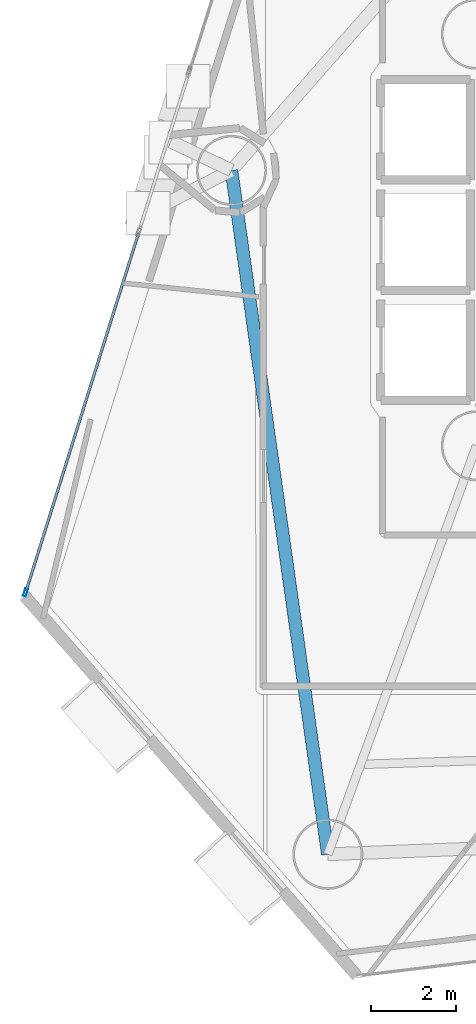
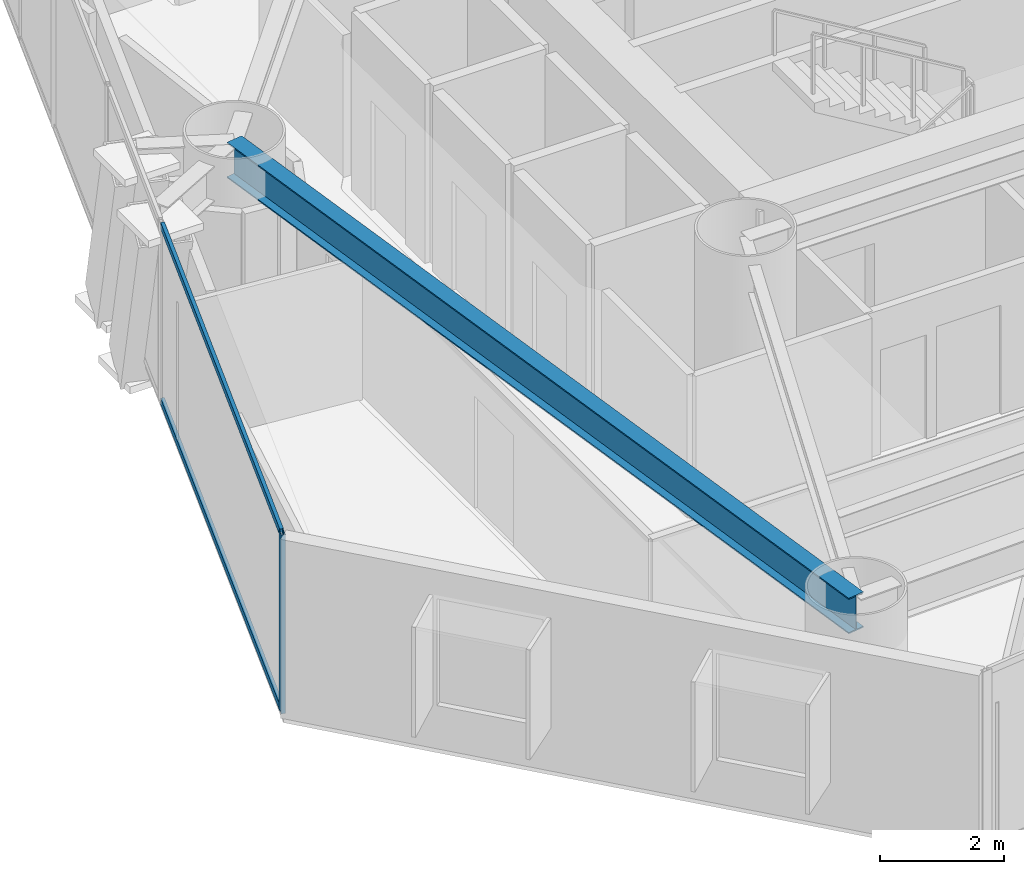
# One storey, part 4 of 24: 3 members, 1 beam, 1 element without a shape of its own.
"""IFC4 building model written with IfcOpenShell, lengths in metres."""

from ifc_helpers import new_model, si_unit, direction, frame, origin, origin_2d, place, context, subcontext, project, spatial, hollow_rectangle, i_section, extrude, material, layer, layer_set, material_profile, profile_set, type_object, element, aggregate, save


model = new_model("IFC4")

# Units and contexts
model_context = context("Model", 3, precision=1e-05, world=origin(), true_north=direction((0.0, 1.0)))
body_context = subcontext(model_context, "Body", "Model", "MODEL_VIEW")
ifc_project = project(units=[si_unit("LENGTHUNIT", "METRE"), si_unit("AREAUNIT", "SQUARE_METRE"), si_unit("VOLUMEUNIT", "CUBIC_METRE"), si_unit("PLANEANGLEUNIT", "RADIAN"), si_unit("MASSUNIT", "GRAM", prefix="KILO")], contexts=[model_context])

# Site, building, storey
site_placement = place(None, origin())
site = spatial("IfcSite", under=ifc_project, at=site_placement, CompositionType="ELEMENT")
building_placement = place(site_placement, origin())
building = spatial("IfcBuilding", under=site, at=building_placement, Name="Qianvela Tower", CompositionType="ELEMENT")
storey_placement = place(building_placement, frame((0.0, 0.0, 71.0)))
storey = spatial("IfcBuildingStorey", under=building, at=storey_placement, Name="L17", CompositionType="ELEMENT", Elevation=71.0)

# Beam
ifc_material_1 = material(Name="Steel Q355B", Category="steel")
ifc_material_profile_1 = material_profile(ifc_material_1, i_section(OverallWidth=0.300048828125, OverallDepth=0.699951171875, WebThickness=0.012939453125, FlangeThickness=0.02392578125, at=origin_2d()), Name="HN700x300x13x24")
ifc_profile_set_1 = profile_set([ifc_material_profile_1], Name="Steel Q355B")
beam_type = type_object("IfcBeamType", Name="BM-HN700-SPAND", PredefinedType="SPANDREL", material=ifc_profile_set_1)
beam_placement = place(storey_placement, frame((22.8291015625, 30.340087890625, 3.16796875), z_axis=(0.139545592864, -0.990215646974, 0.0), x_axis=(0.990215646974, 0.139545592864, 0.0)))
element("IfcBeam", 1, at=beam_placement, inside=storey, type_object=beam_type, Name="L17 Perimeter Ring Spandrel Girder 4", PredefinedType="SPANDREL", context=body_context, shape_type="SweptSolid", body=[
    extrude(i_section(OverallWidth=0.300048828125, OverallDepth=0.699951171875, WebThickness=0.012939453125, FlangeThickness=0.02392578125, at=origin_2d()), origin(), (0.0, 0.0, 1.0), 16.274169921875),
])

# Curtain wall, members
ifc_material_2 = material(Name="Anodised Architectural Aluminium and Low-E Glass", Category="aluminium")
ifc_layer = layer(ifc_material_2, 0.179931640625)
ifc_layer_set = layer_set([ifc_layer], Name="Anodised Architectural Aluminium and Low-E Glass")
curtain_wall_type = type_object("IfcCurtainWallType", Name="CW-COLIV-Z12", PredefinedType="USERDEFINED", material=ifc_layer_set)
curtain_wall_placement = place(storey_placement, origin())
curtain_wall = element("IfcCurtainWall", 2, at=curtain_wall_placement, inside=storey, type_object=curtain_wall_type, Name="L17 CW-COLIV-Z12 Curtain Wall 04C", ObjectType="CURTAIN_WALL_SYSTEM", PredefinedType="USERDEFINED")
ifc_material_3 = material(Name="Anodised Architectural Aluminium 6063-T6", Category="aluminium")
ifc_material_profile_2 = material_profile(ifc_material_3, hollow_rectangle(XDim=0.070068359375, YDim=0.179931640625, WallThickness=0.0048828125, at=origin_2d()), Name="ALU-MULL-70x180")
ifc_profile_set_2 = profile_set([ifc_material_profile_2], Name="Anodised Architectural Aluminium 6063-T6")
member_type_1 = type_object("IfcMemberType", Name="CW-COLIV-Z12-MULL", PredefinedType="MULLION", material=ifc_profile_set_2)
member_1_placement = place(storey_placement, frame((17.977294921875, 20.392822265625, 0.0), z_axis=(0.0, 0.0, 1.0), x_axis=(0.954032242494, -0.299703987763, 0.0)))
member_1 = element("IfcMember", 3, at=member_1_placement, type_object=member_type_1, Name="CW-3 mullion 2", PredefinedType="MULLION", context=body_context, shape_type="SweptSolid", body=[
    extrude(hollow_rectangle(XDim=0.070068359375, YDim=0.179931640625, WallThickness=0.0048828125, at=origin_2d()), origin(), (0.0, 0.0, 1.0), 3.52001953125),
])
ifc_material_4 = material(Name="Anodised Architectural Aluminium 6063-T6", Category="aluminium")
ifc_material_profile_3 = material_profile(ifc_material_4, hollow_rectangle(XDim=0.06494140625, YDim=0.1298828125, WallThickness=0.00439453125, at=origin_2d()), Name="ALU-TRAN-65x130")
ifc_profile_set_3 = profile_set([ifc_material_profile_3], Name="Anodised Architectural Aluminium 6063-T6")
member_type_2 = type_object("IfcMemberType", Name="CW-COLIV-Z12-TRAN", PredefinedType="USERDEFINED", material=ifc_profile_set_3)
member_2_placement = place(storey_placement, frame((20.634521484375, 28.851318359375, 0.032470703125), z_axis=(-0.299708699057, -0.954030762454, 0.0), x_axis=(0.954030762454, -0.299708699057, 0.0)))
member_2 = element("IfcMember", 4, at=member_2_placement, type_object=member_type_2, Name="CW-3 transom 1.1", ObjectType="TRANSOM", PredefinedType="USERDEFINED", context=body_context, shape_type="SweptSolid", body=[
    extrude(hollow_rectangle(XDim=0.06494140625, YDim=0.1298828125, WallThickness=0.00439453125, at=origin_2d()), origin(), (0.0, 0.0, 1.0), 8.8310546875),
])
member_3_placement = place(storey_placement, frame((20.634521484375, 28.851318359375, 3.487548828125), z_axis=(-0.299708699057, -0.954030762454, 0.0), x_axis=(0.954030762454, -0.299708699057, 0.0)))
member_3 = element("IfcMember", 5, at=member_3_placement, type_object=member_type_2, Name="CW-3 transom 1.2", ObjectType="TRANSOM", PredefinedType="USERDEFINED", context=body_context, shape_type="SweptSolid", body=[
    extrude(hollow_rectangle(XDim=0.06494140625, YDim=0.1298828125, WallThickness=0.00439453125, at=origin_2d()), origin(), (0.0, 0.0, 1.0), 8.8310546875),
])
aggregate(curtain_wall, [member_1, member_2, member_3])

save(model, "model.ifc")
